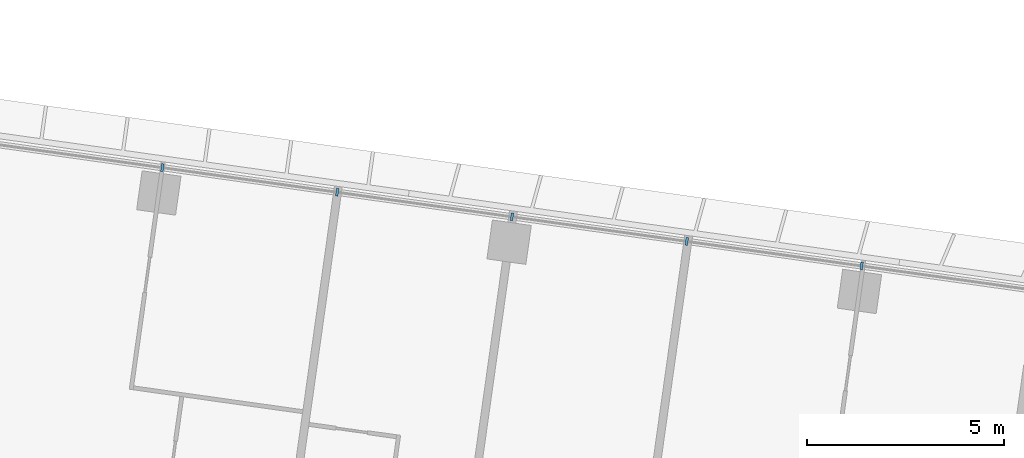
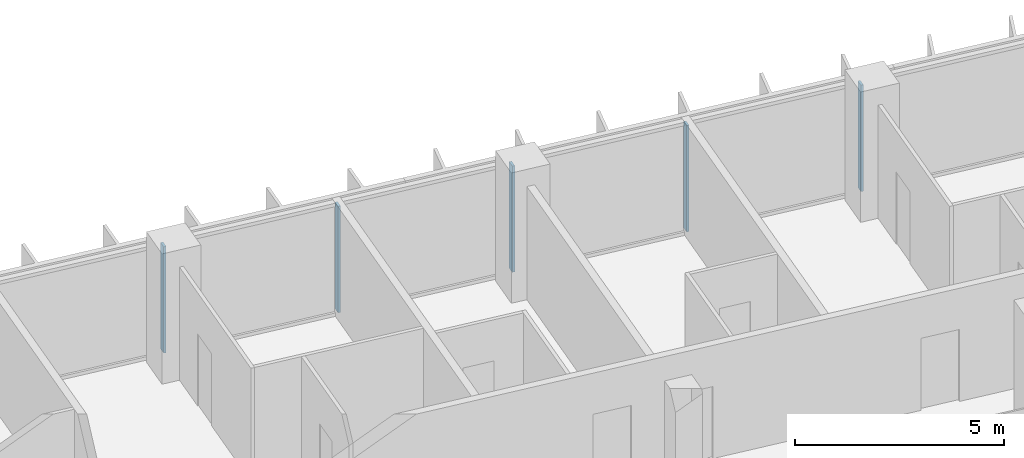
# One storey, part 5 of 24: 5 members, 1 element without a shape of its own.
"""IFC4 building model written with IfcOpenShell, lengths in metres."""

from ifc_helpers import new_model, si_unit, direction, frame, origin, origin_2d, place, context, subcontext, project, spatial, rectangle, extrude, material, material_profile, profile_set, type_object, element, aggregate, save


model = new_model("IFC4")

# Units and contexts
model_context = context("Model", 3, precision=1e-05, world=origin(), true_north=direction((0.0, 1.0)))
body_context = subcontext(model_context, "Body", "Model", "MODEL_VIEW")
ifc_project = project(units=[si_unit("LENGTHUNIT", "METRE"), si_unit("AREAUNIT", "SQUARE_METRE"), si_unit("VOLUMEUNIT", "CUBIC_METRE"), si_unit("PLANEANGLEUNIT", "RADIAN"), si_unit("MASSUNIT", "GRAM", prefix="KILO")], contexts=[model_context])

# Site, building, storey
site_placement = place(None, origin())
site = spatial("IfcSite", under=ifc_project, at=site_placement, CompositionType="ELEMENT")
building_placement = place(site_placement, origin())
building = spatial("IfcBuilding", under=site, at=building_placement, Name="Mirante Cascada Hotel Towers", CompositionType="ELEMENT")
storey_placement = place(building_placement, frame((0.0, 0.0, 88.9)))
storey = spatial("IfcBuildingStorey", under=building, at=storey_placement, Name="L19", CompositionType="ELEMENT", Elevation=88.9)

# Curtain wall, members
ifc_material_1 = material(Name="Aluminium mullion and transom frame with clear laminated glass", Category="aluminium")
curtain_wall_type = type_object("IfcCurtainWallType", Name="Ribbon curtain wall ECW1", PredefinedType="NOTDEFINED", material=ifc_material_1)
curtain_wall_placement = place(storey_placement, origin())
curtain_wall = element("IfcCurtainWall", 1, at=curtain_wall_placement, inside=storey, type_object=curtain_wall_type, Name="Front ribbon wall T1 L19", PredefinedType="NOTDEFINED")
ifc_material_2 = material(Name="Anodised aluminium extrusion", Category="aluminium")
ifc_material_profile = material_profile(ifc_material_2, rectangle(XDim=0.2, YDim=0.065, at=origin_2d()), Name="ECW1 MULLION 65x200")
ifc_profile_set = profile_set([ifc_material_profile], Name="Anodised aluminium extrusion")
member_type = type_object("IfcMemberType", Name="ECW1 mullion 65x200", PredefinedType="MULLION", material=ifc_profile_set)
member_1_placement = place(storey_placement, frame((-63.0262, 21.6768, 0.1), z_axis=(0.0, 0.0, 1.0), x_axis=(0.1391731, 0.9902681, 0.0)))
member_1 = element("IfcMember", 2, at=member_1_placement, type_object=member_type, Name="ECW1 mullion 8", PredefinedType="MULLION", context=body_context, shape_type="SweptSolid", body=[
    extrude(rectangle(XDim=0.2, YDim=0.065, at=origin_2d()), origin(), (0.0, 0.0, 1.0), 3.1),
])
member_2_placement = place(storey_placement, frame((-58.5788, 21.0517, 0.1), z_axis=(0.0, 0.0, 1.0), x_axis=(0.1391731, 0.9902681, 0.0)))
member_2 = element("IfcMember", 3, at=member_2_placement, type_object=member_type, Name="ECW1 mullion 9", PredefinedType="MULLION", context=body_context, shape_type="SweptSolid", body=[
    extrude(rectangle(XDim=0.2, YDim=0.065, at=origin_2d()), origin(), (0.0, 0.0, 1.0), 3.1),
])
member_3_placement = place(storey_placement, frame((-54.1314, 20.4267, 0.1), z_axis=(0.0, 0.0, 1.0), x_axis=(0.1391731, 0.9902681, 0.0)))
member_3 = element("IfcMember", 4, at=member_3_placement, type_object=member_type, Name="ECW1 mullion 10", PredefinedType="MULLION", context=body_context, shape_type="SweptSolid", body=[
    extrude(rectangle(XDim=0.2, YDim=0.065, at=origin_2d()), origin(), (0.0, 0.0, 1.0), 3.1),
])
member_4_placement = place(storey_placement, frame((-49.684, 19.8017, 0.1), z_axis=(0.0, 0.0, 1.0), x_axis=(0.1391731, 0.9902681, 0.0)))
member_4 = element("IfcMember", 5, at=member_4_placement, type_object=member_type, Name="ECW1 mullion 11", PredefinedType="MULLION", context=body_context, shape_type="SweptSolid", body=[
    extrude(rectangle(XDim=0.2, YDim=0.065, at=origin_2d()), origin(), (0.0, 0.0, 1.0), 3.1),
])
member_5_placement = place(storey_placement, frame((-45.2366, 19.1766, 0.1), z_axis=(0.0, 0.0, 1.0), x_axis=(0.1391731, 0.9902681, 0.0)))
member_5 = element("IfcMember", 6, at=member_5_placement, type_object=member_type, Name="ECW1 mullion 12", PredefinedType="MULLION", context=body_context, shape_type="SweptSolid", body=[
    extrude(rectangle(XDim=0.2, YDim=0.065, at=origin_2d()), origin(), (0.0, 0.0, 1.0), 3.1),
])
aggregate(curtain_wall, [member_1, member_2, member_3, member_4, member_5])

save(model, "model.ifc")
